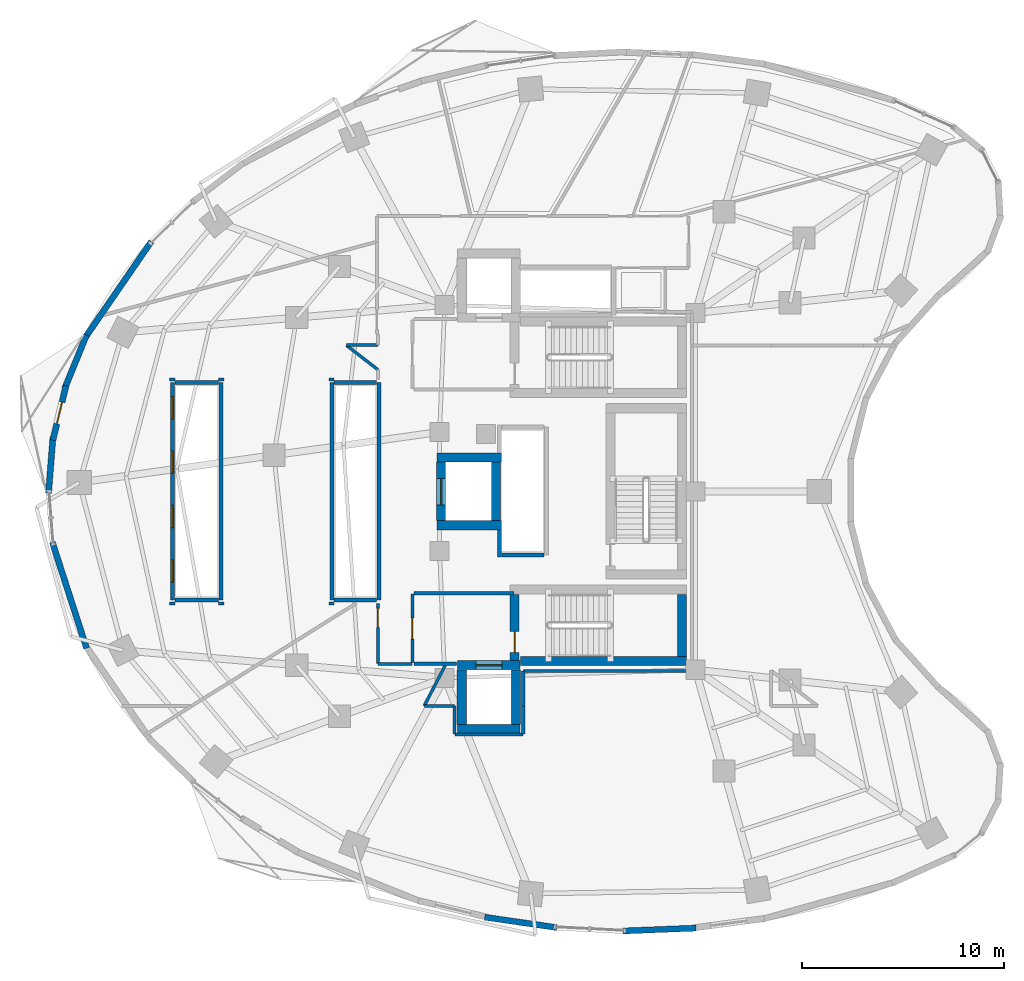
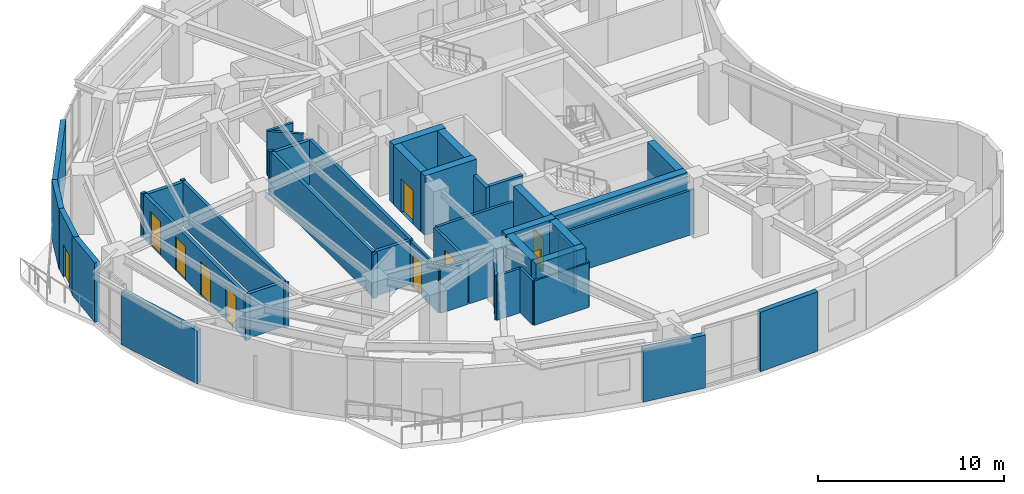
# One storey, part 8 of 12: 48 walls, 10 doors, 10 openings.
"""IFC4 building model written with IfcOpenShell, lengths in metres."""

from ifc_helpers import new_model, si_unit, direction, frame, frame_2d, origin, place, context, subcontext, project, spatial, rectangle, extrude, material, layer, layer_set, type_object, element, fill, save


model = new_model("IFC4")

# Units and contexts
model_context = context("Model", 3, precision=1e-05, world=origin(), true_north=direction((0.0, 1.0)))
body_context = subcontext(model_context, "Body", "Model", "MODEL_VIEW")
ifc_project = project(units=[si_unit("LENGTHUNIT", "METRE"), si_unit("AREAUNIT", "SQUARE_METRE"), si_unit("VOLUMEUNIT", "CUBIC_METRE"), si_unit("PLANEANGLEUNIT", "RADIAN"), si_unit("MASSUNIT", "GRAM", prefix="KILO")], contexts=[model_context])

# Site, building, storey
site_placement = place(None, origin())
site = spatial("IfcSite", under=ifc_project, at=site_placement, CompositionType="ELEMENT")
building_placement = place(site_placement, origin())
building = spatial("IfcBuilding", under=site, at=building_placement, Name="Korentha Bioscience Tower", CompositionType="ELEMENT")
storey_placement = place(building_placement, frame((0.0, 0.0, 136.199951171875)))
storey = spatial("IfcBuildingStorey", under=building, at=storey_placement, Name="L31", CompositionType="ELEMENT", Elevation=136.199951171875)

# Wall, opening, door
ifc_material_1 = material(Name="Double-Stud Acoustic Gypsum", Category="gypsum")
ifc_layer_1 = layer(ifc_material_1, 0.14990234375, Name="Double-Stud Acoustic Gypsum")
ifc_layer_set_1 = layer_set([ifc_layer_1], Name="Double-Stud Acoustic Gypsum (IW-L150)")
wall_type_1 = type_object("IfcWallType", Name="Acoustic Laboratory Partition Wall 150", PredefinedType="PARTITIONING", material=ifc_layer_set_1)
wall_1_placement = place(storey_placement, frame((21.7900390625, 21.43994140625, 0.0), z_axis=(0.0, 0.0, 1.0), x_axis=(0.0, -1.0, 0.0)))
wall_1 = element("IfcWall", 1, at=wall_1_placement, inside=storey, type_object=wall_type_1, Name="L31 Biomechanical Motion Analysis Lab 01 Entrance Wall", PredefinedType="PARTITIONING", context=body_context, shape_type="SweptSolid", body=[
    extrude(rectangle(XDim=2.989990234375, YDim=0.14990234375, at=frame_2d((1.4951171875, 0.0))), origin(), (0.0, 0.0, 1.0), 2.91015625),
])
opening_1_placement = place(wall_1_placement, frame((0.239990234375, 0.0, 0.0)))
opening_1 = element("IfcOpeningElement", 2, at=opening_1_placement, cuts=wall_1, Name="Opening ID-10L", PredefinedType="OPENING", context=body_context, shape_type="SweptSolid", body=[
    extrude(rectangle(XDim=0.949951171875, YDim=2.14990234375, at=frame_2d((0.47509765625, 1.074951171875))), frame((0.0, 0.08984375, 0.0), z_axis=(0.0, -1.0, 0.0), x_axis=(1.0, 0.0, 0.0)), (0.0, 0.0, 1.0), 0.1796875),
])
ifc_material_2 = material(Name="Phenolic Laminate Timber Core", Category="wood")
door_type_1 = type_object("IfcDoorType", Name="Laboratory Single Leaf Door 950x2150 Left", OperationType="SINGLE_SWING_LEFT", PredefinedType="DOOR", material=ifc_material_2)
door_1_placement = place(opening_1_placement, origin())
door_1 = element("IfcDoor", 3, at=door_1_placement, inside=storey, type_object=door_type_1, Name="L31 Biomechanical Motion Analysis Lab 01 Door", OperationType="SINGLE_SWING_LEFT", OverallHeight=2.14990234375, OverallWidth=0.949951171875, PredefinedType="DOOR", context=body_context, shape_type="SweptSolid", body=[
    extrude(rectangle(XDim=0.949951171875, YDim=2.14990234375, at=frame_2d((0.47509765625, 1.074951171875))), frame((0.0, 0.02490234375, 0.0), z_axis=(0.0, -1.0, 0.0), x_axis=(1.0, 0.0, 0.0)), (0.0, 0.0, 1.0), 0.050048828125),
])
fill(opening_1, door_1)

# Walls
wall_2_placement = place(storey_placement, frame((21.800048828125, 18.43994140625, 0.0), z_axis=(0.0, 0.0, 1.0), x_axis=(1.0, 0.0, 0.0)))
element("IfcWall", 4, at=wall_2_placement, inside=storey, type_object=wall_type_1, Name="L31 Interior Partition 013", PredefinedType="PARTITIONING", context=body_context, shape_type="SweptSolid", body=[
    extrude(rectangle(XDim=1.68994140625, YDim=0.14990234375, at=frame_2d((0.844970703125, 0.0))), origin(), (0.0, 0.0, 1.0), 2.91015625),
])
wall_3_placement = place(storey_placement, frame((25.16650390625, 18.43994140625, 0.0), z_axis=(0.0, 0.0, 1.0), x_axis=(-0.460256510946, -0.887785978788, 0.0)))
element("IfcWall", 5, at=wall_3_placement, inside=storey, type_object=wall_type_1, Name="L31 Interior Partition 014", PredefinedType="PARTITIONING", context=body_context, shape_type="SweptSolid", body=[
    extrude(rectangle(XDim=2.349853515625, YDim=0.14990234375, at=frame_2d((1.1748046875, 0.0))), origin(), (0.0, 0.0, 1.0), 2.91015625),
])
wall_4_placement = place(storey_placement, frame((24.08837890625, 16.347900390625, 0.0), z_axis=(0.0, 0.0, 1.0), x_axis=(1.0, 0.0, 0.0)))
element("IfcWall", 6, at=wall_4_placement, inside=storey, type_object=wall_type_1, Name="L31 Interior Partition 015", PredefinedType="PARTITIONING", context=body_context, shape_type="SweptSolid", body=[
    extrude(rectangle(XDim=1.511474609375, YDim=0.14990234375, at=frame_2d((0.755859375, 0.0))), origin(), (0.0, 0.0, 1.0), 2.91015625),
])
wall_5_placement = place(storey_placement, frame((25.60009765625, 16.347900390625, 0.0), z_axis=(0.0, 0.0, 1.0), x_axis=(0.0, -1.0, 0.0)))
element("IfcWall", 7, at=wall_5_placement, inside=storey, type_object=wall_type_1, Name="L31 Interior Partition 016", PredefinedType="PARTITIONING", context=body_context, shape_type="SweptSolid", body=[
    extrude(rectangle(XDim=1.393798828125, YDim=0.14990234375, at=frame_2d((0.69677734375, 0.0))), origin(), (0.0, 0.0, 1.0), 2.91015625),
])
wall_6_placement = place(storey_placement, frame((25.604248046875, 14.949951171875, 0.0), z_axis=(0.0, 0.0, 1.0), x_axis=(1.0, 0.0, 0.0)))
element("IfcWall", 8, at=wall_6_placement, inside=storey, type_object=wall_type_1, Name="L31 Interior Partition 017", PredefinedType="PARTITIONING", context=body_context, shape_type="SweptSolid", body=[
    extrude(rectangle(XDim=3.3916015625, YDim=0.14990234375, at=frame_2d((1.69580078125, 0.0))), origin(), (0.0, 0.0, 1.0), 2.91015625),
])
wall_7_placement = place(storey_placement, frame((29.0, 14.9541015625, 0.0), z_axis=(0.0, 0.0, 1.0), x_axis=(0.0, 1.0, 0.0)))
element("IfcWall", 9, at=wall_7_placement, inside=storey, type_object=wall_type_1, Name="L31 Interior Partition 018", PredefinedType="PARTITIONING", context=body_context, shape_type="SweptSolid", body=[
    extrude(rectangle(XDim=1.393798828125, YDim=0.14990234375, at=frame_2d((0.69677734375, 0.0))), origin(), (0.0, 0.0, 1.0), 2.91015625),
])
wall_8_placement = place(storey_placement, frame((29.0, 16.352294921875, 0.0), z_axis=(0.0, 0.0, 1.0), x_axis=(0.0, 1.0, 0.0)))
element("IfcWall", 10, at=wall_8_placement, inside=storey, type_object=wall_type_1, Name="L31 Interior Partition 019", PredefinedType="PARTITIONING", context=body_context, shape_type="SweptSolid", body=[
    extrude(rectangle(XDim=1.73779296875, YDim=0.14990234375, at=frame_2d((0.868896484375, 0.0))), origin(), (0.0, 0.0, 1.0), 2.91015625),
])
wall_9_placement = place(storey_placement, frame((29.0, 18.090087890625, 0.0), z_axis=(0.0, 0.0, 1.0), x_axis=(1.0, 0.0, 0.0)))
element("IfcWall", 11, at=wall_9_placement, inside=storey, type_object=wall_type_1, Name="L31 Interior Partition 020", PredefinedType="PARTITIONING", context=body_context, shape_type="SweptSolid", body=[
    extrude(rectangle(XDim=8.35009765625, YDim=0.14990234375, at=frame_2d((4.175048828125, 0.0))), origin(), (0.0, 0.0, 1.0), 2.91015625),
])
wall_10_placement = place(storey_placement, frame((21.7900390625, 34.251953125, 0.0), z_axis=(0.0, 0.0, 1.0), x_axis=(-1.0, 0.0, 0.0)))
element("IfcWall", 12, at=wall_10_placement, inside=storey, type_object=wall_type_1, Name="L31 Interior Partition 038", PredefinedType="PARTITIONING", context=body_context, shape_type="SweptSolid", body=[
    extrude(rectangle(XDim=1.56005859375, YDim=0.14990234375, at=frame_2d((0.780029296875, 0.0))), origin(), (0.0, 0.0, 1.0), 2.91015625),
])
wall_11_placement = place(storey_placement, frame((20.2275390625, 34.244873046875, 0.0), z_axis=(0.0, 0.0, 1.0), x_axis=(0.791312192369, -0.611412311135, 0.0)))
element("IfcWall", 13, at=wall_11_placement, inside=storey, type_object=wall_type_1, Name="L31 Interior Partition 039", PredefinedType="PARTITIONING", context=body_context, shape_type="SweptSolid", body=[
    extrude(rectangle(XDim=1.974609375, YDim=0.14990234375, at=frame_2d((0.9873046875, 0.0))), origin(), (0.0, 0.0, 1.0), 2.91015625),
])
for number, where, z_axis, x_axis, name in (
    (14, (19.6201171875, 32.56005859375, 0.0), (0.0, 0.0, 1.0), (-1.0, 0.0, 0.0), "L31 Interior Partition 041"),
    (15, (19.35009765625, 21.43994140625, 0.0), (0.0, 0.0, 1.0), (1.0, 0.0, 0.0), "L31 Interior Partition 042"),
    (16, (14.14990234375, 32.56005859375, 0.0), (0.0, 0.0, 1.0), (-1.0, 0.0, 0.0), "L31 Interior Partition 044"),
    (17, (11.719970703125, 32.56005859375, 0.0), (0.0, 0.0, 1.0), (-1.0, 0.0, 0.0), "L31 Interior Partition 045"),
    (18, (11.449951171875, 21.43994140625, 0.0), (0.0, 0.0, 1.0), (1.0, 0.0, 0.0), "L31 Interior Partition 046"),
    (19, (13.8798828125, 21.43994140625, 0.0), (0.0, 0.0, 1.0), (1.0, 0.0, 0.0), "L31 Interior Partition 047"),
):
    element("IfcWall", number, at=place(storey_placement, frame(where, z_axis=z_axis, x_axis=x_axis)), inside=storey, type_object=wall_type_1, Name=name, PredefinedType="PARTITIONING", context=body_context, shape_type="SweptSolid", body=[
        extrude(rectangle(XDim=0.27001953125, YDim=0.14990234375, at=frame_2d((0.135009765625, 0.0))), origin(), (0.0, 0.0, 1.0), 2.91015625),
    ])

# Wall, opening, door
ifc_material_3 = material(Name="Gypsum-Clad Steel Stud", Category="steel")
ifc_layer_2 = layer(ifc_material_3, 0.159912109375, Name="Gypsum-Clad Steel Stud")
ifc_layer_set_2 = layer_set([ifc_layer_2], Name="Gypsum-Clad Steel Stud (IW-C160)")
wall_type_2 = type_object("IfcWallType", Name="Fire-Rated Corridor Partition Wall 160", PredefinedType="PARTITIONING", material=ifc_layer_set_2)
wall_12_placement = place(storey_placement, frame((23.5, 18.5, 0.0), z_axis=(0.0, 0.0, 1.0), x_axis=(0.0, 1.0, 0.0)))
wall_12 = element("IfcWall", 20, at=wall_12_placement, inside=storey, type_object=wall_type_2, Name="L31 FFLS-CW Rated Enclosure Wall", PredefinedType="PARTITIONING", context=body_context, shape_type="SweptSolid", body=[
    extrude(rectangle(XDim=3.39990234375, YDim=0.159912109375, at=frame_2d((1.699951171875, 0.0))), origin(), (0.0, 0.0, 1.0), 2.91015625),
])
opening_2_placement = place(wall_12_placement, frame((1.175048828125, 0.0, 0.0)))
opening_2 = element("IfcOpeningElement", 21, at=opening_2_placement, cuts=wall_12, Name="Opening FD-90R", PredefinedType="OPENING", context=body_context, shape_type="SweptSolid", body=[
    extrude(rectangle(XDim=1.050048828125, YDim=2.14990234375, at=frame_2d((0.52490234375, 1.074951171875))), frame((0.0, 0.0947265625, 0.0), z_axis=(0.0, -1.0, 0.0), x_axis=(1.0, 0.0, 0.0)), (0.0, 0.0, 1.0), 0.189697265625),
])
ifc_material_4 = material(Name="Powder-Coated Fire-Rated Steel", Category="steel")
door_type_2 = type_object("IfcDoorType", Name="Stairwell Fire Exit Door 1050x2150 Right", OperationType="SINGLE_SWING_RIGHT", PredefinedType="DOOR", material=ifc_material_4)
door_2_placement = place(opening_2_placement, origin())
door_2 = element("IfcDoor", 22, at=door_2_placement, inside=storey, type_object=door_type_2, Name="L31 South Firefighting Lobby Door", OperationType="SINGLE_SWING_RIGHT", OverallHeight=2.14990234375, OverallWidth=1.050048828125, PredefinedType="DOOR", context=body_context, shape_type="SweptSolid", body=[
    extrude(rectangle(XDim=1.050048828125, YDim=2.14990234375, at=frame_2d((0.52490234375, 1.074951171875))), frame((0.0, 0.02490234375, 0.0), z_axis=(0.0, -1.0, 0.0), x_axis=(1.0, 0.0, 0.0)), (0.0, 0.0, 1.0), 0.050048828125),
])
fill(opening_2, door_2)

# Walls
wall_13_placement = place(storey_placement, frame((23.580078125, 21.949951171875, 0.0), z_axis=(0.0, 0.0, 1.0), x_axis=(1.0, 0.0, 0.0)))
element("IfcWall", 23, at=wall_13_placement, inside=storey, type_object=wall_type_2, Name="L31 Firefighting Lobby Return Wall FFLS-N", PredefinedType="PARTITIONING", context=body_context, shape_type="SweptSolid", body=[
    extrude(rectangle(XDim=4.969970703125, YDim=0.159912109375, at=frame_2d((2.48486328125, 0.0))), origin(), (0.0, 0.0, 1.0), 2.91015625),
])
wall_14_placement = place(storey_placement, frame((23.580078125, 18.449951171875, 0.0), z_axis=(0.0, 0.0, 1.0), x_axis=(1.0, 0.0, 0.0)))
element("IfcWall", 24, at=wall_14_placement, inside=storey, type_object=wall_type_2, Name="L31 Firefighting Lobby Return Wall FFLS-S", PredefinedType="PARTITIONING", context=body_context, shape_type="SweptSolid", body=[
    extrude(rectangle(XDim=2.119873046875, YDim=0.159912109375, at=frame_2d((1.06005859375, 0.0))), origin(), (0.0, 0.0, 1.0), 2.91015625),
])

# Wall, opening, door
ifc_material_5 = material(Name="Honed Limestone Precast Concrete C40", Category="masonry")
ifc_layer_3 = layer(ifc_material_5, 0.300048828125, Name="Honed Limestone Precast Concrete C40")
ifc_layer_set_3 = layer_set([ifc_layer_3], Name="Honed Limestone Precast Concrete C40 (EW-ST300)")
wall_type_3 = type_object("IfcWallType", Name="Honed Limestone Cavity Spandrel Wall 300", PredefinedType="STANDARD", material=ifc_layer_set_3)
wall_15_placement = place(storey_placement, frame((6.316162109375, 32.248046875, 0.0), z_axis=(0.0, 0.0, 1.0), x_axis=(-0.233687533313, -0.972311748759, 0.0)))
wall_15 = element("IfcWall", 25, at=wall_15_placement, inside=storey, type_object=wall_type_3, Name="L31 Balcony Threshold Wall 02", PredefinedType="STANDARD", context=body_context, shape_type="SweptSolid", body=[
    extrude(rectangle(XDim=2.788330078125, YDim=0.300048828125, at=frame_2d((1.39404296875, 0.0))), origin(), (0.0, 0.0, 1.0), 3.900146484375),
])
opening_3_placement = place(wall_15_placement, frame((0.84423828125, 0.0, 0.0)))
opening_3 = element("IfcOpeningElement", 26, at=opening_3_placement, cuts=wall_15, Name="Opening BD-11R", PredefinedType="OPENING", context=body_context, shape_type="SweptSolid", body=[
    extrude(rectangle(XDim=1.10009765625, YDim=2.14990234375, at=frame_2d((0.550048828125, 1.074951171875))), frame((0.0, 0.1650390625, 0.0), z_axis=(0.0, -1.0, 0.0), x_axis=(1.0, 0.0, 0.0)), (0.0, 0.0, 1.0), 0.329833984375),
])
ifc_material_6 = material(Name="Thermally Broken Glazed Aluminium", Category="aluminium")
door_type_3 = type_object("IfcDoorType", Name="Balcony Terrace Glazed Door 1100x2150 Right", OperationType="SINGLE_SWING_RIGHT", PredefinedType="DOOR", material=ifc_material_6)
door_3_placement = place(opening_3_placement, origin())
door_3 = element("IfcDoor", 27, at=door_3_placement, inside=storey, type_object=door_type_3, Name="L31 Balcony Access Door 02", OperationType="SINGLE_SWING_RIGHT", OverallHeight=2.14990234375, OverallWidth=1.10009765625, PredefinedType="DOOR", context=body_context, shape_type="SweptSolid", body=[
    extrude(rectangle(XDim=1.10009765625, YDim=2.14990234375, at=frame_2d((0.550048828125, 1.074951171875))), frame((0.0, 0.02490234375, 0.0), z_axis=(0.0, -1.0, 0.0), x_axis=(1.0, 0.0, 0.0)), (0.0, 0.0, 1.0), 0.050048828125),
])
fill(opening_3, door_3)

# Walls
wall_16_placement = place(storey_placement, frame((10.54833984375, 39.400390625, 0.0), z_axis=(0.0, 0.0, 1.0), x_axis=(-0.566825798999, -0.823837674296, 0.0)))
element("IfcWall", 28, at=wall_16_placement, inside=storey, type_object=wall_type_3, Name="L31 Limestone Perimeter Closure Wall 14", PredefinedType="STANDARD", context=body_context, shape_type="SweptSolid", body=[
    extrude(rectangle(XDim=5.825927734375, YDim=0.300048828125, at=frame_2d((2.9130859375, 0.0))), origin(), (0.0, 0.0, 1.0), 3.900146484375),
])
wall_17_placement = place(storey_placement, frame((7.336181640625, 34.76708984375, 0.0), z_axis=(0.0, 0.0, 1.0), x_axis=(-0.378421675944, -0.925633315722, 0.0)))
element("IfcWall", 29, at=wall_17_placement, inside=storey, type_object=wall_type_3, Name="L31 Limestone Perimeter Closure Wall 16", PredefinedType="STANDARD", context=body_context, shape_type="SweptSolid", body=[
    extrude(rectangle(XDim=2.88134765625, YDim=0.300048828125, at=frame_2d((1.440673828125, 0.0))), origin(), (0.0, 0.0, 1.0), 3.900146484375),
])
wall_18_placement = place(storey_placement, frame((5.668701171875, 29.701171875, 0.0), z_axis=(0.0, 0.0, 1.0), x_axis=(-0.079062676622, -0.996869647028, 0.0)))
element("IfcWall", 30, at=wall_18_placement, inside=storey, type_object=wall_type_3, Name="L31 Limestone Perimeter Closure Wall 18", PredefinedType="STANDARD", context=body_context, shape_type="SweptSolid", body=[
    extrude(rectangle(XDim=2.80078125, YDim=0.300048828125, at=frame_2d((1.400390625, 0.0))), origin(), (0.0, 0.0, 1.0), 3.900146484375),
])
wall_19_placement = place(storey_placement, frame((5.631591796875, 24.48681640625, 0.0), z_axis=(0.0, 0.0, 1.0), x_axis=(0.307599470659, -0.951515930319, 0.0)))
element("IfcWall", 31, at=wall_19_placement, inside=storey, type_object=wall_type_3, Name="L31 Limestone Perimeter Closure Wall 20", PredefinedType="STANDARD", context=body_context, shape_type="SweptSolid", body=[
    extrude(rectangle(XDim=5.534423828125, YDim=0.300048828125, at=frame_2d((2.76708984375, 0.0))), origin(), (0.0, 0.0, 1.0), 3.469970703125),
])
wall_20_placement = place(storey_placement, frame((27.083251953125, 5.874755859375, 0.0), z_axis=(0.0, 0.0, 1.0), x_axis=(0.989734732902, -0.142916613754, 0.0)))
element("IfcWall", 32, at=wall_20_placement, inside=storey, type_object=wall_type_3, Name="L31 Limestone Perimeter Closure Wall 30", PredefinedType="STANDARD", context=body_context, shape_type="SweptSolid", body=[
    extrude(rectangle(XDim=3.611328125, YDim=0.300048828125, at=frame_2d((1.8056640625, 0.0))), origin(), (0.0, 0.0, 1.0), 3.469970703125),
])
wall_21_placement = place(storey_placement, frame((33.94189453125, 5.189453125, 0.0), z_axis=(0.0, 0.0, 1.0), x_axis=(0.999212076676, 0.039689114679, 0.0)))
element("IfcWall", 33, at=wall_21_placement, inside=storey, type_object=wall_type_3, Name="L31 Limestone Perimeter Closure Wall 32", PredefinedType="STANDARD", context=body_context, shape_type="SweptSolid", body=[
    extrude(rectangle(XDim=3.635498046875, YDim=0.300048828125, at=frame_2d((1.81787109375, 0.0))), origin(), (0.0, 0.0, 1.0), 3.900146484375),
])

# Wall, openings, doors
ifc_material_7 = material(Name="Autoclaved Aerated Concrete Block C25", Category="concrete")
ifc_layer_4 = layer(ifc_material_7, 0.199951171875, Name="Autoclaved Aerated Concrete Block C25")
ifc_layer_set_4 = layer_set([ifc_layer_4], Name="Autoclaved Aerated Concrete Block C25 (IW-S200)")
wall_type_4 = type_object("IfcWallType", Name="Lift and Riser Shaft Enclosure Wall 200", PredefinedType="PARTITIONING", material=ifc_layer_set_4)
wall_22_placement = place(storey_placement, frame((11.60009765625, 21.60009765625, 0.0), z_axis=(0.0, 0.0, 1.0), x_axis=(0.0, 1.0, 0.0)))
wall_22 = element("IfcWall", 34, at=wall_22_placement, inside=storey, type_object=wall_type_4, Name="L31 Lift Bank LOW Shaft Wall -X", PredefinedType="PARTITIONING", context=body_context, shape_type="SweptSolid", body=[
    extrude(rectangle(XDim=10.7998046875, YDim=0.199951171875, at=frame_2d((5.39990234375, 0.0))), origin(), (0.0, 0.0, 1.0), 2.91015625),
])
opening_4_placement = place(wall_22_placement, frame((0.89990234375, 0.0, 0.0)))
opening_4 = element("IfcOpeningElement", 35, at=opening_4_placement, cuts=wall_22, Name="Opening LD-11", PredefinedType="OPENING", context=body_context, shape_type="SweptSolid", body=[
    extrude(rectangle(XDim=1.10009765625, YDim=2.199951171875, at=frame_2d((0.550048828125, 1.10009765625))), frame((0.0, 0.11474609375, 0.0), z_axis=(0.0, -1.0, 0.0), x_axis=(1.0, 0.0, 0.0)), (0.0, 0.0, 1.0), 0.229736328125),
])
opening_5_placement = place(wall_22_placement, frame((3.60009765625, 0.0, 0.0)))
opening_5 = element("IfcOpeningElement", 36, at=opening_5_placement, cuts=wall_22, Name="Opening LD-11", PredefinedType="OPENING", context=body_context, shape_type="SweptSolid", body=[
    extrude(rectangle(XDim=1.10009765625, YDim=2.199951171875, at=frame_2d((0.550048828125, 1.10009765625))), frame((0.0, 0.11474609375, 0.0), z_axis=(0.0, -1.0, 0.0), x_axis=(1.0, 0.0, 0.0)), (0.0, 0.0, 1.0), 0.229736328125),
])
opening_6_placement = place(wall_22_placement, frame((6.300048828125, 0.0, 0.0)))
opening_6 = element("IfcOpeningElement", 37, at=opening_6_placement, cuts=wall_22, Name="Opening LD-11", PredefinedType="OPENING", context=body_context, shape_type="SweptSolid", body=[
    extrude(rectangle(XDim=1.10009765625, YDim=2.199951171875, at=frame_2d((0.550048828125, 1.10009765625))), frame((0.0, 0.11474609375, 0.0), z_axis=(0.0, -1.0, 0.0), x_axis=(1.0, 0.0, 0.0)), (0.0, 0.0, 1.0), 0.229736328125),
])
opening_7_placement = place(wall_22_placement, frame((9.0, 0.0, 0.0)))
opening_7 = element("IfcOpeningElement", 38, at=opening_7_placement, cuts=wall_22, Name="Opening LD-11", PredefinedType="OPENING", context=body_context, shape_type="SweptSolid", body=[
    extrude(rectangle(XDim=1.10009765625, YDim=2.199951171875, at=frame_2d((0.550048828125, 1.10009765625))), frame((0.0, 0.11474609375, 0.0), z_axis=(0.0, -1.0, 0.0), x_axis=(1.0, 0.0, 0.0)), (0.0, 0.0, 1.0), 0.229736328125),
])
ifc_material_8 = material(Name="Brushed Stainless Steel 304", Category="steel")
door_type_4 = type_object("IfcDoorType", Name="Passenger Lift Sliding Landing Door 1100x2200", OperationType="DOUBLE_DOOR_SLIDING", PredefinedType="DOOR", material=ifc_material_8)
door_4_placement = place(opening_4_placement, origin())
door_4 = element("IfcDoor", 39, at=door_4_placement, inside=storey, type_object=door_type_4, Name="L31 PL-L1 Sliding Lift Landing Door", OperationType="DOUBLE_DOOR_SLIDING", OverallHeight=2.199951171875, OverallWidth=1.10009765625, PredefinedType="DOOR", context=body_context, shape_type="SweptSolid", body=[
    extrude(rectangle(XDim=1.10009765625, YDim=2.199951171875, at=frame_2d((0.550048828125, 1.10009765625))), frame((0.0, 0.02490234375, 0.0), z_axis=(0.0, -1.0, 0.0), x_axis=(1.0, 0.0, 0.0)), (0.0, 0.0, 1.0), 0.050048828125),
])
fill(opening_4, door_4)
door_5_placement = place(opening_5_placement, origin())
door_5 = element("IfcDoor", 40, at=door_5_placement, inside=storey, type_object=door_type_4, Name="L31 PL-L2 Sliding Lift Landing Door", OperationType="DOUBLE_DOOR_SLIDING", OverallHeight=2.199951171875, OverallWidth=1.10009765625, PredefinedType="DOOR", context=body_context, shape_type="SweptSolid", body=[
    extrude(rectangle(XDim=1.10009765625, YDim=2.199951171875, at=frame_2d((0.550048828125, 1.10009765625))), frame((0.0, 0.02490234375, 0.0), z_axis=(0.0, -1.0, 0.0), x_axis=(1.0, 0.0, 0.0)), (0.0, 0.0, 1.0), 0.050048828125),
])
fill(opening_5, door_5)
door_6_placement = place(opening_6_placement, origin())
door_6 = element("IfcDoor", 41, at=door_6_placement, inside=storey, type_object=door_type_4, Name="L31 PL-L3 Sliding Lift Landing Door", OperationType="DOUBLE_DOOR_SLIDING", OverallHeight=2.199951171875, OverallWidth=1.10009765625, PredefinedType="DOOR", context=body_context, shape_type="SweptSolid", body=[
    extrude(rectangle(XDim=1.10009765625, YDim=2.199951171875, at=frame_2d((0.550048828125, 1.10009765625))), frame((0.0, 0.02490234375, 0.0), z_axis=(0.0, -1.0, 0.0), x_axis=(1.0, 0.0, 0.0)), (0.0, 0.0, 1.0), 0.050048828125),
])
fill(opening_6, door_6)
door_7_placement = place(opening_7_placement, origin())
door_7 = element("IfcDoor", 42, at=door_7_placement, inside=storey, type_object=door_type_4, Name="L31 PL-L4 Sliding Lift Landing Door", OperationType="DOUBLE_DOOR_SLIDING", OverallHeight=2.199951171875, OverallWidth=1.10009765625, PredefinedType="DOOR", context=body_context, shape_type="SweptSolid", body=[
    extrude(rectangle(XDim=1.10009765625, YDim=2.199951171875, at=frame_2d((0.550048828125, 1.10009765625))), frame((0.0, 0.02490234375, 0.0), z_axis=(0.0, -1.0, 0.0), x_axis=(1.0, 0.0, 0.0)), (0.0, 0.0, 1.0), 0.050048828125),
])
fill(opening_7, door_7)

# Walls
wall_23_placement = place(storey_placement, frame((14.0, 21.60009765625, 0.0), z_axis=(0.0, 0.0, 1.0), x_axis=(0.0, 1.0, 0.0)))
element("IfcWall", 43, at=wall_23_placement, inside=storey, type_object=wall_type_4, Name="L31 Lift Bank LOW Shaft Wall +X", PredefinedType="PARTITIONING", context=body_context, shape_type="SweptSolid", body=[
    extrude(rectangle(XDim=10.7998046875, YDim=0.199951171875, at=frame_2d((5.39990234375, 0.0))), origin(), (0.0, 0.0, 1.0), 2.91015625),
])
for number, where, z_axis, x_axis, name in (
    (44, (11.719970703125, 21.60009765625, 0.0), (0.0, 0.0, 1.0), (1.0, 0.0, 0.0), "L31 Lift Bank LOW Shaft Wall -Y"),
    (45, (11.719970703125, 32.39990234375, 0.0), (0.0, 0.0, 1.0), (1.0, 0.0, 0.0), "L31 Lift Bank LOW Shaft Wall +Y"),
):
    element("IfcWall", number, at=place(storey_placement, frame(where, z_axis=z_axis, x_axis=x_axis)), inside=storey, type_object=wall_type_4, Name=name, PredefinedType="PARTITIONING", context=body_context, shape_type="SweptSolid", body=[
        extrude(rectangle(XDim=2.159912109375, YDim=0.199951171875, at=frame_2d((1.080078125, 0.0))), origin(), (0.0, 0.0, 1.0), 2.91015625),
    ])
for number, where, z_axis, x_axis, name in (
    (46, (19.5, 21.60009765625, 0.0), (0.0, 0.0, 1.0), (0.0, 1.0, 0.0), "L31 Lift Bank MID Shaft Wall -X"),
    (47, (21.85009765625, 21.60009765625, 0.0), (0.0, 0.0, 1.0), (0.0, 1.0, 0.0), "L31 Lift Bank MID Shaft Wall +X"),
):
    element("IfcWall", number, at=place(storey_placement, frame(where, z_axis=z_axis, x_axis=x_axis)), inside=storey, type_object=wall_type_4, Name=name, PredefinedType="PARTITIONING", context=body_context, shape_type="SweptSolid", body=[
        extrude(rectangle(XDim=10.7998046875, YDim=0.199951171875, at=frame_2d((5.39990234375, 0.0))), origin(), (0.0, 0.0, 1.0), 2.91015625),
    ])
for number, where, z_axis, x_axis, name in (
    (48, (19.6201171875, 21.60009765625, 0.0), (0.0, 0.0, 1.0), (1.0, 0.0, 0.0), "L31 Lift Bank MID Shaft Wall -Y"),
    (49, (19.6201171875, 32.39990234375, 0.0), (0.0, 0.0, 1.0), (1.0, 0.0, 0.0), "L31 Lift Bank MID Shaft Wall +Y"),
):
    element("IfcWall", number, at=place(storey_placement, frame(where, z_axis=z_axis, x_axis=x_axis)), inside=storey, type_object=wall_type_4, Name=name, PredefinedType="PARTITIONING", context=body_context, shape_type="SweptSolid", body=[
        extrude(rectangle(XDim=2.10986328125, YDim=0.199951171875, at=frame_2d((1.054931640625, 0.0))), origin(), (0.0, 0.0, 1.0), 2.91015625),
    ])
wall_24_placement = place(storey_placement, frame((27.830078125, 23.75, 0.0), z_axis=(0.0, 0.0, 1.0), x_axis=(0.0, 1.0, 0.0)))
element("IfcWall", 50, at=wall_24_placement, inside=storey, type_object=wall_type_4, Name="L31 Lift Bank HIGH Shaft Wall -XS", PredefinedType="PARTITIONING", context=body_context, shape_type="SweptSolid", body=[
    extrude(rectangle(XDim=1.341064453125, YDim=0.199951171875, at=frame_2d((0.67041015625, 0.0))), origin(), (0.0, 0.0, 1.0), 2.91015625),
])
wall_25_placement = place(storey_placement, frame((27.93408203125, 23.85009765625, 0.0), z_axis=(0.0, 0.0, 1.0), x_axis=(1.0, 0.0, 0.0)))
element("IfcWall", 51, at=wall_25_placement, inside=storey, type_object=wall_type_4, Name="L31 Lift Bank HIGH Shaft Wall -Y", PredefinedType="PARTITIONING", context=body_context, shape_type="SweptSolid", body=[
    extrude(rectangle(XDim=2.095947265625, YDim=0.199951171875, at=frame_2d((1.0478515625, 0.0))), origin(), (0.0, 0.0, 1.0), 2.91015625),
])
ifc_material_9 = material(Name="Concrete C80", Category="concrete")
ifc_layer_5 = layer(ifc_material_9, 0.449951171875, Name="Concrete C80")
ifc_layer_set_5 = layer_set([ifc_layer_5], Name="Concrete C80 (CW-C80)")
wall_type_5 = type_object("IfcWallType", Name="Lower Core Shear Wall 450", PredefinedType="SHEAR", material=ifc_layer_set_5)
wall_26_placement = place(storey_placement, frame((28.85205078125, 18.574951171875, 0.0), z_axis=(0.0, 0.0, 1.0), x_axis=(1.0, 0.0, 0.0)))
element("IfcWall", 52, at=wall_26_placement, inside=storey, type_object=wall_type_5, Name="L31 Core Shear Wall ST2-S", PredefinedType="SHEAR", context=body_context, shape_type="SweptSolid", body=[
    extrude(rectangle(XDim=8.248046875, YDim=0.449951171875, at=frame_2d((4.1240234375, 0.0))), origin(), (0.0, 0.0, 1.0), 3.900146484375),
])
wall_27_placement = place(storey_placement, frame((36.875, 18.81005859375, 0.0), z_axis=(0.0, 0.0, 1.0), x_axis=(0.0, 1.0, 0.0)))
element("IfcWall", 53, at=wall_27_placement, inside=storey, type_object=wall_type_5, Name="L31 Core Shear Wall ST2-E", PredefinedType="SHEAR", context=body_context, shape_type="SweptSolid", body=[
    extrude(rectangle(XDim=3.079833984375, YDim=0.449951171875, at=frame_2d((1.5400390625, 0.0))), origin(), (0.0, 0.0, 1.0), 3.900146484375),
])

# Wall, opening, door
wall_28_placement = place(storey_placement, frame((28.574951171875, 18.60693359375, 0.0), z_axis=(0.0, 0.0, 1.0), x_axis=(0.0, 1.0, 0.0)))
wall_28 = element("IfcWall", 54, at=wall_28_placement, inside=storey, type_object=wall_type_5, Name="L31 Core Shear Wall ST2-W", PredefinedType="SHEAR", context=body_context, shape_type="SweptSolid", body=[
    extrude(rectangle(XDim=3.282958984375, YDim=0.449951171875, at=frame_2d((1.6416015625, 0.0))), origin(), (0.0, 0.0, 1.0), 3.900146484375),
])
opening_8_placement = place(wall_28_placement, frame((0.403076171875, 0.0, 0.0)))
opening_8 = element("IfcOpeningElement", 55, at=opening_8_placement, cuts=wall_28, Name="Opening FD-90R", PredefinedType="OPENING", context=body_context, shape_type="SweptSolid", body=[
    extrude(rectangle(XDim=1.050048828125, YDim=2.14990234375, at=frame_2d((0.52490234375, 1.074951171875))), frame((0.0, 0.23974609375, 0.0), z_axis=(0.0, -1.0, 0.0), x_axis=(1.0, 0.0, 0.0)), (0.0, 0.0, 1.0), 0.479736328125),
])
door_8_placement = place(opening_8_placement, origin())
door_8 = element("IfcDoor", 56, at=door_8_placement, inside=storey, type_object=door_type_2, Name="L31 ST-2 Fire Exit Stair Door", OperationType="SINGLE_SWING_RIGHT", OverallHeight=2.14990234375, OverallWidth=1.050048828125, PredefinedType="DOOR", context=body_context, shape_type="SweptSolid", body=[
    extrude(rectangle(XDim=1.050048828125, YDim=2.14990234375, at=frame_2d((0.52490234375, 1.074951171875))), frame((0.0, 0.02490234375, 0.0), z_axis=(0.0, -1.0, 0.0), x_axis=(1.0, 0.0, 0.0)), (0.0, 0.0, 1.0), 0.050048828125),
])
fill(opening_8, door_8)

# Wall
wall_29_placement = place(storey_placement, frame((25.75, 15.199951171875, 0.0), z_axis=(0.0, 0.0, 1.0), x_axis=(1.0, 0.0, 0.0)))
element("IfcWall", 57, at=wall_29_placement, inside=storey, type_object=wall_type_5, Name="L31 Core Shear Wall FFL1-S", PredefinedType="SHEAR", context=body_context, shape_type="SweptSolid", body=[
    extrude(rectangle(XDim=3.10009765625, YDim=0.449951171875, at=frame_2d((1.550048828125, 0.0))), origin(), (0.0, 0.0, 1.0), 3.900146484375),
])

# Wall, opening, door
wall_30_placement = place(storey_placement, frame((25.75, 18.3798828125, 0.0), z_axis=(0.0, 0.0, 1.0), x_axis=(1.0, 0.0, 0.0)))
wall_30 = element("IfcWall", 58, at=wall_30_placement, inside=storey, type_object=wall_type_5, Name="L31 Core Shear Wall FFL1-N", PredefinedType="SHEAR", context=body_context, shape_type="SweptSolid", body=[
    extrude(rectangle(XDim=3.10009765625, YDim=0.449951171875, at=frame_2d((1.550048828125, 0.0))), origin(), (0.0, 0.0, 1.0), 3.900146484375),
])
opening_9_placement = place(wall_30_placement, frame((0.89990234375, 0.0, 0.0)))
opening_9 = element("IfcOpeningElement", 59, at=opening_9_placement, cuts=wall_30, Name="Opening LD-13", PredefinedType="OPENING", context=body_context, shape_type="SweptSolid", body=[
    extrude(rectangle(XDim=1.300048828125, YDim=2.199951171875, at=frame_2d((0.64990234375, 1.10009765625))), frame((0.0, 0.23974609375, 0.0), z_axis=(0.0, -1.0, 0.0), x_axis=(1.0, 0.0, 0.0)), (0.0, 0.0, 1.0), 0.479736328125),
])
ifc_material_10 = material(Name="Brushed Stainless Steel 316", Category="steel")
door_type_5 = type_object("IfcDoorType", Name="Service & Firefighting Lift Landing Door 1300x2300", OperationType="DOUBLE_DOOR_SLIDING", PredefinedType="DOOR", material=ifc_material_10)
door_9_placement = place(opening_9_placement, origin())
door_9 = element("IfcDoor", 60, at=door_9_placement, inside=storey, type_object=door_type_5, Name="L31 FFL-1 Sliding Lift Landing Door", OperationType="DOUBLE_DOOR_SLIDING", OverallHeight=2.199951171875, OverallWidth=1.300048828125, PredefinedType="DOOR", context=body_context, shape_type="SweptSolid", body=[
    extrude(rectangle(XDim=1.300048828125, YDim=2.199951171875, at=frame_2d((0.64990234375, 1.10009765625))), frame((0.0, 0.02490234375, 0.0), z_axis=(0.0, -1.0, 0.0), x_axis=(1.0, 0.0, 0.0)), (0.0, 0.0, 1.0), 0.050048828125),
])
fill(opening_9, door_9)

# Walls
for number, where, z_axis, x_axis, name in (
    (61, (25.949951171875, 15.43994140625, 0.0), (0.0, 0.0, 1.0), (0.0, 1.0, 0.0), "L31 Core Shear Wall FFL1-W"),
    (62, (28.64990234375, 15.43994140625, 0.0), (0.0, 0.0, 1.0), (0.0, 1.0, 0.0), "L31 Core Shear Wall FFL1-E"),
):
    element("IfcWall", number, at=place(storey_placement, frame(where, z_axis=z_axis, x_axis=x_axis)), inside=storey, type_object=wall_type_5, Name=name, PredefinedType="SHEAR", context=body_context, shape_type="SweptSolid", body=[
        extrude(rectangle(XDim=2.699951171875, YDim=0.449951171875, at=frame_2d((1.35009765625, 0.0))), origin(), (0.0, 0.0, 1.0), 3.900146484375),
    ])
for number, where, z_axis, x_axis, name in (
    (63, (24.719970703125, 28.679931640625, 0.0), (0.0, 0.0, 1.0), (1.0, 0.0, 0.0), "L31 Core Shear Wall SVL1-N"),
    (64, (24.719970703125, 25.320068359375, 0.0), (0.0, 0.0, 1.0), (1.0, 0.0, 0.0), "L31 Core Shear Wall SVL1-S"),
):
    element("IfcWall", number, at=place(storey_placement, frame(where, z_axis=z_axis, x_axis=x_axis)), inside=storey, type_object=wall_type_5, Name=name, PredefinedType="SHEAR", context=body_context, shape_type="SweptSolid", body=[
        extrude(rectangle(XDim=3.2099609375, YDim=0.449951171875, at=frame_2d((1.60498046875, 0.0))), origin(), (0.0, 0.0, 1.0), 3.900146484375),
    ])

# Wall, opening, door
wall_31_placement = place(storey_placement, frame((24.919921875, 25.547119140625, 0.0), z_axis=(0.0, 0.0, 1.0), x_axis=(0.0, 1.0, 0.0)))
wall_31 = element("IfcWall", 65, at=wall_31_placement, inside=storey, type_object=wall_type_5, Name="L31 Core Shear Wall SVL1-W", PredefinedType="SHEAR", context=body_context, shape_type="SweptSolid", body=[
    extrude(rectangle(XDim=2.90576171875, YDim=0.449951171875, at=frame_2d((1.452880859375, 0.0))), origin(), (0.0, 0.0, 1.0), 3.900146484375),
])
opening_10_placement = place(wall_31_placement, frame((0.7900390625, 0.0, 0.0)))
opening_10 = element("IfcOpeningElement", 66, at=opening_10_placement, cuts=wall_31, Name="Opening LD-13", PredefinedType="OPENING", context=body_context, shape_type="SweptSolid", body=[
    extrude(rectangle(XDim=1.300048828125, YDim=2.199951171875, at=frame_2d((0.64990234375, 1.10009765625))), frame((0.0, 0.23974609375, 0.0), z_axis=(0.0, -1.0, 0.0), x_axis=(1.0, 0.0, 0.0)), (0.0, 0.0, 1.0), 0.479736328125),
])
door_10_placement = place(opening_10_placement, origin())
door_10 = element("IfcDoor", 67, at=door_10_placement, inside=storey, type_object=door_type_5, Name="L31 SVL-1 Sliding Lift Landing Door", OperationType="DOUBLE_DOOR_SLIDING", OverallHeight=2.199951171875, OverallWidth=1.300048828125, PredefinedType="DOOR", context=body_context, shape_type="SweptSolid", body=[
    extrude(rectangle(XDim=1.300048828125, YDim=2.199951171875, at=frame_2d((0.64990234375, 1.10009765625))), frame((0.0, 0.02490234375, 0.0), z_axis=(0.0, -1.0, 0.0), x_axis=(1.0, 0.0, 0.0)), (0.0, 0.0, 1.0), 0.050048828125),
])
fill(opening_10, door_10)

# Wall
wall_32_placement = place(storey_placement, frame((27.64990234375, 25.547119140625, 0.0), z_axis=(0.0, 0.0, 1.0), x_axis=(0.0, 1.0, 0.0)))
element("IfcWall", 68, at=wall_32_placement, inside=storey, type_object=wall_type_5, Name="L31 Core Shear Wall SVL1-E", PredefinedType="SHEAR", context=body_context, shape_type="SweptSolid", body=[
    extrude(rectangle(XDim=2.90576171875, YDim=0.449951171875, at=frame_2d((1.452880859375, 0.0))), origin(), (0.0, 0.0, 1.0), 3.900146484375),
])

save(model, "model.ifc")
